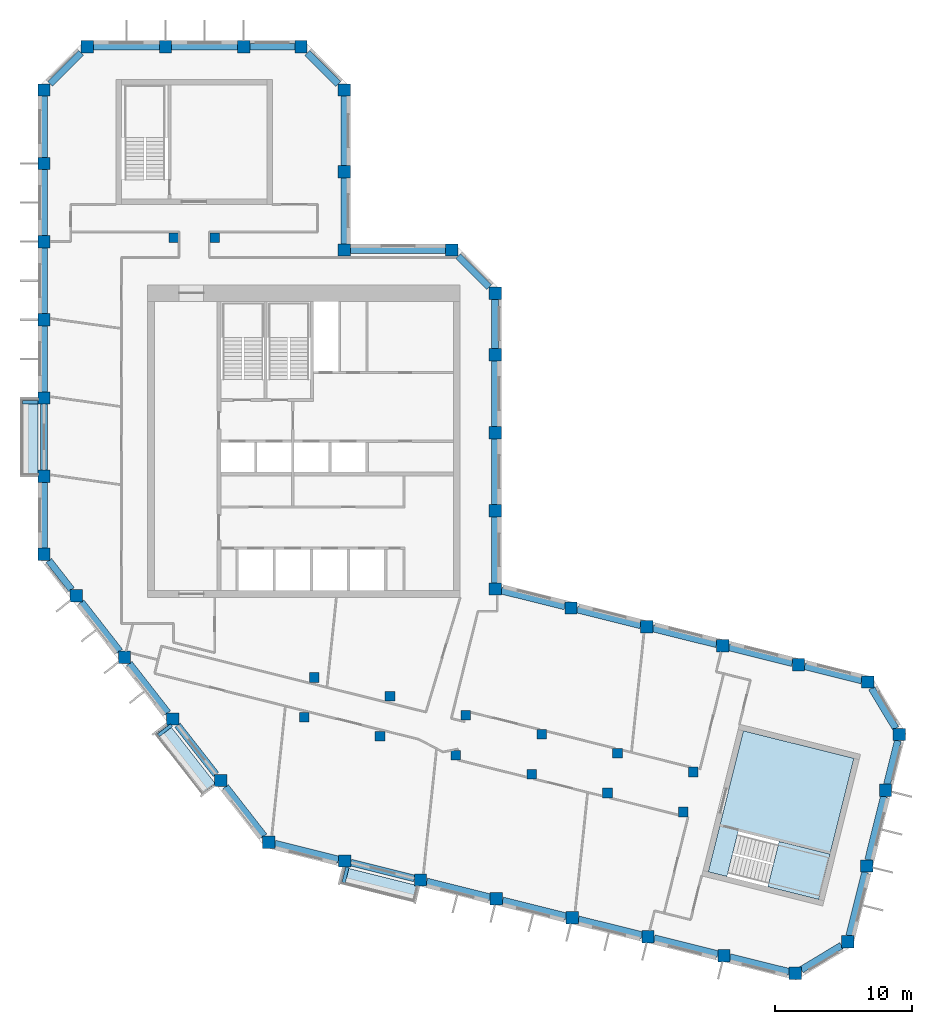
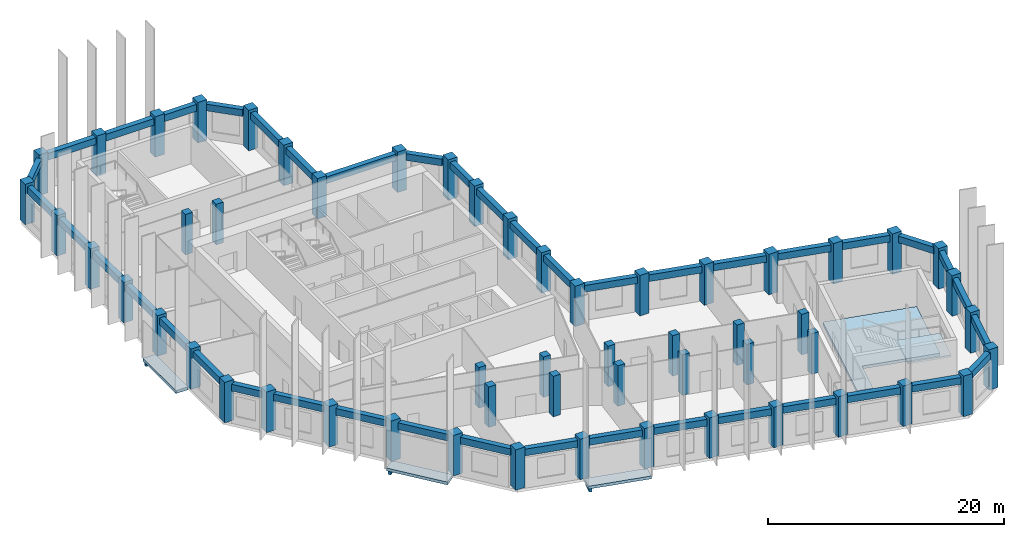
# One storey, part 1 of 8: 55 columns, 44 beams, 5 slabs, 1 element without a shape of its own.
"""IFC4 building model written with IfcOpenShell, lengths in metres."""

from ifc_helpers import new_model, si_unit, direction, frame, origin, origin_2d, place, context, subcontext, project, spatial, polyline, rectangle, outline, extrude, material, layer, layer_set, material_profile, profile_set, type_object, element, aggregate, save


model = new_model("IFC4")

# Units and contexts
model_context = context("Model", 3, precision=1e-05, world=origin(), true_north=direction((0.0, 1.0)))
body_context = subcontext(model_context, "Body", "Model", "MODEL_VIEW")
ifc_project = project(units=[si_unit("LENGTHUNIT", "METRE"), si_unit("AREAUNIT", "SQUARE_METRE"), si_unit("VOLUMEUNIT", "CUBIC_METRE"), si_unit("PLANEANGLEUNIT", "RADIAN"), si_unit("MASSUNIT", "GRAM", prefix="KILO")], contexts=[model_context])

# Site, building, storey
site_placement = place(None, origin())
site = spatial("IfcSite", under=ifc_project, at=site_placement, CompositionType="ELEMENT")
building_placement = place(site_placement, origin())
building = spatial("IfcBuilding", under=site, at=building_placement, Name="Meshkara Civic Tower", CompositionType="ELEMENT")
storey_placement = place(building_placement, frame((0.0, 0.0, 387.60009765625)))
storey = spatial("IfcBuildingStorey", under=building, at=storey_placement, Name="L89", CompositionType="ELEMENT", Elevation=387.60009765625)

# Columns
ifc_material_1 = material(Name="Concrete C50", Category="concrete")
ifc_material_profile_1 = material_profile(ifc_material_1, rectangle(XDim=0.699951171875, YDim=0.699951171875, at=origin_2d()))
ifc_profile_set_1 = profile_set([ifc_material_profile_1], Name="Concrete C50")
column_type_1 = type_object("IfcColumnType", Name="Interior column RC 700x700 C50", PredefinedType="COLUMN", material=ifc_profile_set_1)
for number, where, z_axis, x_axis, name in (
    (1, (9.89990234375, 40.35009765625, 0.0), (0.0, 0.0, 1.0), (1.0, 0.0, 0.0), "Column SA1-04 L89"),
    (2, (12.89990234375, 40.35009765625, 0.0), (0.0, 0.0, 1.0), (1.0, 0.0, 0.0), "Column SA2-04 L89"),
    (3, (19.424072265625, 5.360107421875, 0.0), (0.0, 0.0, 1.0), (1.0, 0.0, 0.0), "Column SB1-00 L89"),
    (4, (24.9541015625, 3.98095703125, 0.0), (0.0, 0.0, 1.0), (1.0, 0.0, 0.0), "Column SB1-01 L89"),
    (5, (30.485107421875, 2.60205078125, 0.0), (0.0, 0.0, 1.0), (1.0, 0.0, 0.0), "Column SB1-02 L89"),
    (6, (36.01611328125, 1.222900390625, 0.0), (0.0, 0.0, 1.0), (1.0, 0.0, 0.0), "Column SB1-03 L89"),
    (7, (41.5458984375, -0.156005859375, 0.0), (0.0, 0.0, 1.0), (1.0, 0.0, 0.0), "Column SB1-04 L89"),
    (8, (47.076904296875, -1.534912109375, 0.0), (0.0, 0.0, 1.0), (1.0, 0.0, 0.0), "Column SB1-05 L89"),
    (9, (20.14892578125, 8.27099609375, 0.0), (0.0, 0.0, 1.0), (1.0, 0.0, 0.0), "Column SB2-00 L89"),
    (10, (25.679931640625, 6.89208984375, 0.0), (0.0, 0.0, 1.0), (1.0, 0.0, 0.0), "Column SB2-01 L89"),
    (11, (31.2109375, 5.512939453125, 0.0), (0.0, 0.0, 1.0), (1.0, 0.0, 0.0), "Column SB2-02 L89"),
    (12, (36.741943359375, 4.134033203125, 0.0), (0.0, 0.0, 1.0), (1.0, 0.0, 0.0), "Column SB2-03 L89"),
    (13, (42.27197265625, 2.7548828125, 0.0), (0.0, 0.0, 1.0), (1.0, 0.0, 0.0), "Column SB2-04 L89"),
    (14, (47.802978515625, 1.3759765625, 0.0), (0.0, 0.0, 1.0), (1.0, 0.0, 0.0), "Column SB2-05 L89"),
):
    element("IfcColumn", number, at=place(storey_placement, frame(where, z_axis=z_axis, x_axis=x_axis)), inside=storey, type_object=column_type_1, Name=name, PredefinedType="COLUMN", context=body_context, shape_type="SweptSolid", body=[
        extrude(rectangle(XDim=0.699951171875, YDim=0.699951171875, at=origin_2d()), origin(), (0.0, 0.0, 1.0), 4.199951171875),
    ])
ifc_material_2 = material(Name="Concrete C50", Category="concrete")
ifc_material_profile_2 = material_profile(ifc_material_2, rectangle(XDim=0.89990234375, YDim=0.89990234375, at=origin_2d()))
ifc_profile_set_2 = profile_set([ifc_material_profile_2], Name="Concrete C50")
column_type_2 = type_object("IfcColumnType", Name="Perimeter column RC 900x900 C50", PredefinedType="COLUMN", material=ifc_profile_set_2)
for number, where, z_axis, x_axis, name in (
    (15, (33.35009765625, 14.718994140625, 0.0), (0.0, 0.0, 1.0), (1.0, 0.0, 0.0), "Column HE00 L89"),
    (16, (33.35009765625, 20.4189453125, 0.0), (0.0, 0.0, 1.0), (1.0, 0.0, 0.0), "Column HE01 L89"),
    (17, (33.35009765625, 26.118896484375, 0.0), (0.0, 0.0, 1.0), (1.0, 0.0, 0.0), "Column HE02 L89"),
    (18, (33.35009765625, 31.819091796875, 0.0), (0.0, 0.0, 1.0), (1.0, 0.0, 0.0), "Column HE03 L89"),
    (19, (33.35009765625, 36.2939453125, 0.0), (0.0, 0.0, 1.0), (1.0, 0.0, 0.0), "Column HEE L89"),
    (20, (30.194091796875, 39.449951171875, 0.0), (0.0, 0.0, 1.0), (1.0, 0.0, 0.0), "Column HCeE L89"),
    (21, (22.35009765625, 39.449951171875, 0.0), (0.0, 0.0, 1.0), (1.0, 0.0, 0.0), "Column HN00 L89"),
    (22, (22.35009765625, 45.14990234375, 0.0), (0.0, 0.0, 1.0), (1.0, 0.0, 0.0), "Column AE01 L89"),
    (23, (22.35009765625, 51.114013671875, 0.0), (0.0, 0.0, 1.0), (1.0, 0.0, 0.0), "Column AEEP5 L89"),
    (24, (19.194091796875, 54.27001953125, 0.0), (0.0, 0.0, 1.0), (1.0, 0.0, 0.0), "Column ATiEP5 L89"),
    (25, (3.60595703125, 54.27001953125, 0.0), (0.0, 0.0, 1.0), (1.0, 0.0, 0.0), "Column AT00-P5 L89"),
    (26, (9.305908203125, 54.27001953125, 0.0), (0.0, 0.0, 1.0), (1.0, 0.0, 0.0), "Column AT01-P5 L89"),
    (27, (15.006103515625, 54.27001953125, 0.0), (0.0, 0.0, 1.0), (1.0, 0.0, 0.0), "Column AT02-P5 L89"),
    (28, (0.449951171875, 51.114013671875, 0.0), (0.0, 0.0, 1.0), (1.0, 0.0, 0.0), "Column ATo00-P5 L89"),
    (29, (0.449951171875, 17.2548828125, 0.0), (0.0, 0.0, 1.0), (1.0, 0.0, 0.0), "Column AW00 L89"),
    (30, (0.449951171875, 22.955078125, 0.0), (0.0, 0.0, 1.0), (1.0, 0.0, 0.0), "Column AW01 L89"),
    (31, (0.449951171875, 28.655029296875, 0.0), (0.0, 0.0, 1.0), (1.0, 0.0, 0.0), "Column AW02 L89"),
    (32, (0.449951171875, 34.35498046875, 0.0), (0.0, 0.0, 1.0), (1.0, 0.0, 0.0), "Column AW03 L89"),
    (33, (0.449951171875, 40.054931640625, 0.0), (0.0, 0.0, 1.0), (1.0, 0.0, 0.0), "Column AW04 L89"),
    (34, (0.449951171875, 45.7548828125, 0.0), (0.0, 0.0, 1.0), (1.0, 0.0, 0.0), "Column AW05 L89"),
    (35, (16.85107421875, -3.738037109375, 0.0), (0.0, 0.0, 1.0), (1.0, 0.0, 0.0), "Column BOW00 L89"),
    (36, (13.342041015625, 0.75390625, 0.0), (0.0, 0.0, 1.0), (1.0, 0.0, 0.0), "Column BOW01 L89"),
    (37, (9.8330078125, 5.2451171875, 0.0), (0.0, 0.0, 1.0), (1.0, 0.0, 0.0), "Column BOW02 L89"),
    (38, (6.322998046875, 9.737060546875, 0.0), (0.0, 0.0, 1.0), (1.0, 0.0, 0.0), "Column BOW03 L89"),
    (39, (2.81396484375, 14.22900390625, 0.0), (0.0, 0.0, 1.0), (1.0, 0.0, 0.0), "Column BOW04 L89"),
    (40, (22.382080078125, -5.116943359375, 0.0), (0.0, 0.0, 1.0), (1.0, 0.0, 0.0), "Column BS01 L89"),
    (41, (27.912109375, -6.49609375, 0.0), (0.0, 0.0, 1.0), (1.0, 0.0, 0.0), "Column BS02 L89"),
    (42, (33.443115234375, -7.875, 0.0), (0.0, 0.0, 1.0), (1.0, 0.0, 0.0), "Column BS03 L89"),
    (43, (38.97412109375, -9.25390625, 0.0), (0.0, 0.0, 1.0), (1.0, 0.0, 0.0), "Column BS04 L89"),
    (44, (44.50390625, -10.633056640625, 0.0), (0.0, 0.0, 1.0), (1.0, 0.0, 0.0), "Column BS05-P4 L89"),
    (45, (50.034912109375, -12.011962890625, 0.0), (0.0, 0.0, 1.0), (1.0, 0.0, 0.0), "Column BS06-P4 L89"),
    (46, (55.235107421875, -13.30810546875, 0.0), (0.0, 0.0, 1.0), (1.0, 0.0, 0.0), "Column BSEP5 L89"),
    (47, (59.06103515625, -11.009033203125, 0.0), (0.0, 0.0, 1.0), (1.0, 0.0, 0.0), "Column BToEP5 L89"),
    (48, (60.43994140625, -5.47802734375, 0.0), (0.0, 0.0, 1.0), (1.0, 0.0, 0.0), "Column BT01-P5 L89"),
    (49, (61.819091796875, 0.052001953125, 0.0), (0.0, 0.0, 1.0), (1.0, 0.0, 0.0), "Column BT02-P5 L89"),
    (50, (62.83203125, 4.114990234375, 0.0), (0.0, 0.0, 1.0), (1.0, 0.0, 0.0), "Column BTEP5 L89"),
    (51, (60.532958984375, 7.94091796875, 0.0), (0.0, 0.0, 1.0), (1.0, 0.0, 0.0), "Column BTi00-P5 L89"),
    (52, (38.881103515625, 13.340087890625, 0.0), (0.0, 0.0, 1.0), (1.0, 0.0, 0.0), "Column BN01 L89"),
    (53, (44.410888671875, 11.9609375, 0.0), (0.0, 0.0, 1.0), (1.0, 0.0, 0.0), "Column BN02 L89"),
    (54, (49.94189453125, 10.58203125, 0.0), (0.0, 0.0, 1.0), (1.0, 0.0, 0.0), "Column BN03 L89"),
    (55, (55.472900390625, 9.202880859375, 0.0), (0.0, 0.0, 1.0), (1.0, 0.0, 0.0), "Column BN04 L89"),
):
    element("IfcColumn", number, at=place(storey_placement, frame(where, z_axis=z_axis, x_axis=x_axis)), inside=storey, type_object=column_type_2, Name=name, PredefinedType="COLUMN", context=body_context, shape_type="SweptSolid", body=[
        extrude(rectangle(XDim=0.89990234375, YDim=0.89990234375, at=origin_2d()), origin(), (0.0, 0.0, 1.0), 4.199951171875),
    ])

# Beams
ifc_material_3 = material(Name="Concrete C50", Category="concrete")
ifc_material_profile_3 = material_profile(ifc_material_3, rectangle(XDim=0.25, YDim=0.39990234375, at=origin_2d()))
ifc_profile_set_3 = profile_set([ifc_material_profile_3], Name="Concrete C50")
beam_type_1 = type_object("IfcBeamType", Name="Balcony bracket beam RC 250x400 C50", PredefinedType="BEAM", material=ifc_profile_set_3)
beam_1_placement = place(storey_placement, frame((0.0048828125, 28.35498046875, -0.5), z_axis=(-1.0, 0.0, 0.0), x_axis=(0.0, -1.0, 0.0)))
element("IfcBeam", 56, at=beam_1_placement, inside=storey, type_object=beam_type_1, Name="Balcony bracket beam", PredefinedType="BEAM", context=body_context, shape_type="SweptSolid", body=[
    extrude(rectangle(XDim=0.25, YDim=0.39990234375, at=origin_2d()), origin(), (0.0, 0.0, 1.0), 1.10498046875),
])
beam_2_placement = place(storey_placement, frame((9.748046875, 4.798095703125, -0.5), z_axis=(-0.787914096483, -0.615785170789, 0.0), x_axis=(0.615785170789, -0.787914096483, 0.0)))
element("IfcBeam", 57, at=beam_2_placement, inside=storey, type_object=beam_type_1, Name="Balcony bracket beam", PredefinedType="BEAM", context=body_context, shape_type="SweptSolid", body=[
    extrude(rectangle(XDim=0.25, YDim=0.39990234375, at=origin_2d()), origin(), (0.0, 0.0, 1.0), 1.20849609375),
])
beam_3_placement = place(storey_placement, frame((22.580078125, -5.56201171875, -0.5), z_axis=(-0.241894953997, -0.970302443175, 0.0), x_axis=(0.970302443175, -0.241894953997, 0.0)))
element("IfcBeam", 58, at=beam_3_placement, inside=storey, type_object=beam_type_1, Name="Balcony bracket beam", PredefinedType="BEAM", context=body_context, shape_type="SweptSolid", body=[
    extrude(rectangle(XDim=0.25, YDim=0.39990234375, at=origin_2d()), origin(), (0.0, 0.0, 1.0), 1.165771484375),
])
ifc_material_4 = material(Name="Concrete C50", Category="concrete")
ifc_material_profile_4 = material_profile(ifc_material_4, rectangle(XDim=0.5, YDim=0.699951171875, at=origin_2d()))
ifc_profile_set_4 = profile_set([ifc_material_profile_4], Name="Concrete C50")
beam_type_2 = type_object("IfcBeamType", Name="Spandrel beam RC 500x700 C50", PredefinedType="BEAM", material=ifc_profile_set_4)
for number, where, z_axis, x_axis, name in (
    (59, (55.02783203125, 9.31396484375, 3.5498046875), (-0.970298442389, 0.241911001604, 0.0), (-0.241911001604, -0.970298442389, 0.0), "Spandrel beam BN03-BN04"),
    (60, (49.496826171875, 10.693115234375, 3.5498046875), (-0.970298442389, 0.241911001604, 0.0), (-0.241911001604, -0.970298442389, 0.0), "Spandrel beam BN02-BN03"),
):
    element("IfcBeam", number, at=place(storey_placement, frame(where, z_axis=z_axis, x_axis=x_axis)), inside=storey, type_object=beam_type_2, Name=name, PredefinedType="BEAM", context=body_context, shape_type="SweptSolid", body=[
        extrude(rectangle(XDim=0.5, YDim=0.699951171875, at=origin_2d()), origin(), (0.0, 0.0, 1.0), 4.78271484375),
    ])
beam_4_placement = place(storey_placement, frame((43.9658203125, 12.072021484375, 3.5498046875), z_axis=(-0.970286489601, 0.241958938867, 0.0), x_axis=(-0.241958938867, -0.970286489601, 0.0)))
element("IfcBeam", 61, at=beam_4_placement, inside=storey, type_object=beam_type_2, Name="Spandrel beam BN01-BN02", PredefinedType="BEAM", context=body_context, shape_type="SweptSolid", body=[
    extrude(rectangle(XDim=0.5, YDim=0.699951171875, at=origin_2d()), origin(), (0.0, 0.0, 1.0), 4.78173828125),
])
beam_5_placement = place(storey_placement, frame((38.435791015625, 13.450927734375, 3.5498046875), z_axis=(-0.970298442389, 0.241911001604, 0.0), x_axis=(-0.241911001604, -0.970298442389, 0.0)))
element("IfcBeam", 62, at=beam_5_placement, inside=storey, type_object=beam_type_2, Name="Spandrel beam BN01-HE00", PredefinedType="BEAM", context=body_context, shape_type="SweptSolid", body=[
    extrude(rectangle(XDim=0.5, YDim=0.699951171875, at=origin_2d()), origin(), (0.0, 0.0, 1.0), 4.78271484375),
])
for number, where, z_axis, x_axis, name in (
    (63, (33.35009765625, 15.1640625, 3.5498046875), (0.0, 1.0, 0.0), (-1.0, 0.0, 0.0), "Spandrel beam HE00-HE01"),
    (64, (33.35009765625, 20.864013671875, 3.5498046875), (0.0, 1.0, 0.0), (-1.0, 0.0, 0.0), "Spandrel beam HE01-HE02"),
    (65, (33.35009765625, 26.56396484375, 3.5498046875), (0.0, 1.0, 0.0), (-1.0, 0.0, 0.0), "Spandrel beam HE02-HE03"),
):
    element("IfcBeam", number, at=place(storey_placement, frame(where, z_axis=z_axis, x_axis=x_axis)), inside=storey, type_object=beam_type_2, Name=name, PredefinedType="BEAM", context=body_context, shape_type="SweptSolid", body=[
        extrude(rectangle(XDim=0.5, YDim=0.699951171875, at=origin_2d()), origin(), (0.0, 0.0, 1.0), 4.81005859375),
    ])
beam_6_placement = place(storey_placement, frame((33.35009765625, 32.263916015625, 3.5498046875), z_axis=(0.0, 1.0, 0.0), x_axis=(-1.0, 0.0, 0.0)))
element("IfcBeam", 66, at=beam_6_placement, inside=storey, type_object=beam_type_2, Name="Spandrel beam HE03-HEE", PredefinedType="BEAM", context=body_context, shape_type="SweptSolid", body=[
    extrude(rectangle(XDim=0.5, YDim=0.699951171875, at=origin_2d()), origin(), (0.0, 0.0, 1.0), 3.585205078125),
])
beam_7_placement = place(storey_placement, frame((32.903564453125, 36.740478515625, 3.5498046875), z_axis=(-0.707144921739, 0.707068638576, 0.0), x_axis=(-0.707068638576, -0.707144921739, 0.0)))
element("IfcBeam", 67, at=beam_7_placement, inside=storey, type_object=beam_type_2, Name="Spandrel beam HCeE-HEE", PredefinedType="BEAM", context=body_context, shape_type="SweptSolid", body=[
    extrude(rectangle(XDim=0.5, YDim=0.699951171875, at=origin_2d()), origin(), (0.0, 0.0, 1.0), 3.200439453125),
])
beam_8_placement = place(storey_placement, frame((29.7490234375, 39.449951171875, 3.5498046875), z_axis=(-1.0, 0.0, 0.0), x_axis=(0.0, -1.0, 0.0)))
element("IfcBeam", 68, at=beam_8_placement, inside=storey, type_object=beam_type_2, Name="Spandrel beam HCeE-HN00", PredefinedType="BEAM", context=body_context, shape_type="SweptSolid", body=[
    extrude(rectangle(XDim=0.5, YDim=0.699951171875, at=origin_2d()), origin(), (0.0, 0.0, 1.0), 6.9541015625),
])
beam_9_placement = place(storey_placement, frame((22.35009765625, 39.89501953125, 3.5498046875), z_axis=(0.0, 1.0, 0.0), x_axis=(-1.0, 0.0, 0.0)))
element("IfcBeam", 69, at=beam_9_placement, inside=storey, type_object=beam_type_2, Name="Spandrel beam AE01-HN00", PredefinedType="BEAM", context=body_context, shape_type="SweptSolid", body=[
    extrude(rectangle(XDim=0.5, YDim=0.699951171875, at=origin_2d()), origin(), (0.0, 0.0, 1.0), 4.81005859375),
])
beam_10_placement = place(storey_placement, frame((22.35009765625, 45.594970703125, 3.5498046875), z_axis=(0.0, 1.0, 0.0), x_axis=(-1.0, 0.0, 0.0)))
element("IfcBeam", 70, at=beam_10_placement, inside=storey, type_object=beam_type_2, Name="Spandrel beam AE01-AEEP5", PredefinedType="BEAM", context=body_context, shape_type="SweptSolid", body=[
    extrude(rectangle(XDim=0.5, YDim=0.699951171875, at=origin_2d()), origin(), (0.0, 0.0, 1.0), 5.073974609375),
])
beam_11_placement = place(storey_placement, frame((21.903564453125, 51.560546875, 3.5498046875), z_axis=(-0.707144921739, 0.707068638576, 0.0), x_axis=(-0.707068638576, -0.707144921739, 0.0)))
element("IfcBeam", 71, at=beam_11_placement, inside=storey, type_object=beam_type_2, Name="Spandrel beam AEEP5-ATiEP5", PredefinedType="BEAM", context=body_context, shape_type="SweptSolid", body=[
    extrude(rectangle(XDim=0.5, YDim=0.699951171875, at=origin_2d()), origin(), (0.0, 0.0, 1.0), 3.200439453125),
])
beam_12_placement = place(storey_placement, frame((18.7490234375, 54.27001953125, 3.5498046875), z_axis=(-1.0, 0.0, 0.0), x_axis=(0.0, -1.0, 0.0)))
element("IfcBeam", 72, at=beam_12_placement, inside=storey, type_object=beam_type_2, Name="Spandrel beam AT02-P5-ATiEP5", PredefinedType="BEAM", context=body_context, shape_type="SweptSolid", body=[
    extrude(rectangle(XDim=0.5, YDim=0.699951171875, at=origin_2d()), origin(), (0.0, 0.0, 1.0), 3.298095703125),
])
for number, where, z_axis, x_axis, name in (
    (73, (14.56103515625, 54.27001953125, 3.5498046875), (-1.0, 0.0, 0.0), (0.0, -1.0, 0.0), "Spandrel beam AT01-P5-AT02-P5"),
    (74, (8.861083984375, 54.27001953125, 3.5498046875), (-1.0, 0.0, 0.0), (0.0, -1.0, 0.0), "Spandrel beam AT00-P5-AT01-P5"),
):
    element("IfcBeam", number, at=place(storey_placement, frame(where, z_axis=z_axis, x_axis=x_axis)), inside=storey, type_object=beam_type_2, Name=name, PredefinedType="BEAM", context=body_context, shape_type="SweptSolid", body=[
        extrude(rectangle(XDim=0.5, YDim=0.699951171875, at=origin_2d()), origin(), (0.0, 0.0, 1.0), 4.81005859375),
    ])
beam_13_placement = place(storey_placement, frame((3.159423828125, 53.823486328125, 3.5498046875), z_axis=(-0.707106781187, -0.707106781187, 0.0), x_axis=(0.707106781187, -0.707106781187, 0.0)))
element("IfcBeam", 75, at=beam_13_placement, inside=storey, type_object=beam_type_2, Name="Spandrel beam AT00-P5-ATo00-P5", PredefinedType="BEAM", context=body_context, shape_type="SweptSolid", body=[
    extrude(rectangle(XDim=0.5, YDim=0.699951171875, at=origin_2d()), origin(), (0.0, 0.0, 1.0), 3.2001953125),
])
beam_14_placement = place(storey_placement, frame((0.449951171875, 50.6689453125, 3.5498046875), z_axis=(0.0, -1.0, 0.0), x_axis=(1.0, 0.0, 0.0)))
element("IfcBeam", 76, at=beam_14_placement, inside=storey, type_object=beam_type_2, Name="Spandrel beam ATo00-P5-AW05", PredefinedType="BEAM", context=body_context, shape_type="SweptSolid", body=[
    extrude(rectangle(XDim=0.5, YDim=0.699951171875, at=origin_2d()), origin(), (0.0, 0.0, 1.0), 4.468994140625),
])
for number, where, z_axis, x_axis, name in (
    (77, (0.449951171875, 45.31005859375, 3.5498046875), (0.0, -1.0, 0.0), (1.0, 0.0, 0.0), "Spandrel beam AW04-AW05"),
    (78, (0.449951171875, 39.610107421875, 3.5498046875), (0.0, -1.0, 0.0), (1.0, 0.0, 0.0), "Spandrel beam AW03-AW04"),
):
    element("IfcBeam", number, at=place(storey_placement, frame(where, z_axis=z_axis, x_axis=x_axis)), inside=storey, type_object=beam_type_2, Name=name, PredefinedType="BEAM", context=body_context, shape_type="SweptSolid", body=[
        extrude(rectangle(XDim=0.5, YDim=0.699951171875, at=origin_2d()), origin(), (0.0, 0.0, 1.0), 4.81005859375),
    ])
beam_15_placement = place(storey_placement, frame((0.449951171875, 33.909912109375, 3.5498046875), z_axis=(0.0, -1.0, 0.0), x_axis=(1.0, 0.0, 0.0)))
element("IfcBeam", 79, at=beam_15_placement, inside=storey, type_object=beam_type_2, Name="Spandrel beam AW02-AW03", PredefinedType="BEAM", context=body_context, shape_type="SweptSolid", body=[
    extrude(rectangle(XDim=0.5, YDim=0.699951171875, at=origin_2d()), origin(), (0.0, 0.0, 1.0), 4.809814453125),
])
for number, where, z_axis, x_axis, name in (
    (80, (0.449951171875, 28.2099609375, 3.5498046875), (0.0, -1.0, 0.0), (1.0, 0.0, 0.0), "Spandrel beam AW01-AW02"),
    (81, (0.449951171875, 22.510009765625, 3.5498046875), (0.0, -1.0, 0.0), (1.0, 0.0, 0.0), "Spandrel beam AW00-AW01"),
):
    element("IfcBeam", number, at=place(storey_placement, frame(where, z_axis=z_axis, x_axis=x_axis)), inside=storey, type_object=beam_type_2, Name=name, PredefinedType="BEAM", context=body_context, shape_type="SweptSolid", body=[
        extrude(rectangle(XDim=0.5, YDim=0.699951171875, at=origin_2d()), origin(), (0.0, 0.0, 1.0), 4.81005859375),
    ])
beam_16_placement = place(storey_placement, frame((0.798583984375, 16.808837890625, 3.5498046875), z_axis=(0.615637043197, -0.788029841468, 0.0), x_axis=(0.788029841468, 0.615637043197, 0.0)))
element("IfcBeam", 82, at=beam_16_placement, inside=storey, type_object=beam_type_2, Name="Spandrel beam AW00-BOW04", PredefinedType="BEAM", context=body_context, shape_type="SweptSolid", body=[
    extrude(rectangle(XDim=0.5, YDim=0.699951171875, at=origin_2d()), origin(), (0.0, 0.0, 1.0), 2.707763671875),
])
beam_17_placement = place(storey_placement, frame((3.162353515625, 13.782958984375, 3.5498046875), z_axis=(0.615626410665, -0.788038147865, 0.0), x_axis=(0.788038147865, 0.615626410665, 0.0)))
element("IfcBeam", 83, at=beam_17_placement, inside=storey, type_object=beam_type_2, Name="Spandrel beam BOW03-BOW04", PredefinedType="BEAM", context=body_context, shape_type="SweptSolid", body=[
    extrude(rectangle(XDim=0.5, YDim=0.699951171875, at=origin_2d()), origin(), (0.0, 0.0, 1.0), 4.568115234375),
])
beam_18_placement = place(storey_placement, frame((6.67138671875, 9.291015625, 3.5498046875), z_axis=(0.615759141311, -0.787934438829, 0.0), x_axis=(0.787934438829, 0.615759141311, 0.0)))
element("IfcBeam", 84, at=beam_18_placement, inside=storey, type_object=beam_type_2, Name="Spandrel beam BOW02-BOW03", PredefinedType="BEAM", context=body_context, shape_type="SweptSolid", body=[
    extrude(rectangle(XDim=0.5, YDim=0.699951171875, at=origin_2d()), origin(), (0.0, 0.0, 1.0), 4.568603515625),
])
beam_19_placement = place(storey_placement, frame((10.181396484375, 4.798828125, 3.5498046875), z_axis=(0.615722879711, -0.78796277539, 0.0), x_axis=(0.78796277539, 0.615722879711, 0.0)))
element("IfcBeam", 85, at=beam_19_placement, inside=storey, type_object=beam_type_2, Name="Spandrel beam BOW01-BOW02", PredefinedType="BEAM", context=body_context, shape_type="SweptSolid", body=[
    extrude(rectangle(XDim=0.5, YDim=0.699951171875, at=origin_2d()), origin(), (0.0, 0.0, 1.0), 4.56689453125),
])
beam_20_placement = place(storey_placement, frame((13.6904296875, 0.307861328125, 3.5498046875), z_axis=(0.615626410665, -0.788038147865, 0.0), x_axis=(0.788038147865, 0.615626410665, 0.0)))
element("IfcBeam", 86, at=beam_20_placement, inside=storey, type_object=beam_type_2, Name="Spandrel beam BOW00-BOW01", PredefinedType="BEAM", context=body_context, shape_type="SweptSolid", body=[
    extrude(rectangle(XDim=0.5, YDim=0.699951171875, at=origin_2d()), origin(), (0.0, 0.0, 1.0), 4.568115234375),
])
beam_21_placement = place(storey_placement, frame((17.296142578125, -3.84912109375, 3.5498046875), z_axis=(0.970301429476, -0.241899020164, 0.0), x_axis=(0.241899020164, 0.970301429476, 0.0)))
element("IfcBeam", 87, at=beam_21_placement, inside=storey, type_object=beam_type_2, Name="Spandrel beam BOW00-BS01", PredefinedType="BEAM", context=body_context, shape_type="SweptSolid", body=[
    extrude(rectangle(XDim=0.5, YDim=0.699951171875, at=origin_2d()), origin(), (0.0, 0.0, 1.0), 4.782958984375),
])
beam_22_placement = place(storey_placement, frame((22.8271484375, -5.22802734375, 3.5498046875), z_axis=(0.970286489601, -0.241958938867, 0.0), x_axis=(0.241958938867, 0.970286489601, 0.0)))
element("IfcBeam", 88, at=beam_22_placement, inside=storey, type_object=beam_type_2, Name="Spandrel beam BS01-BS02", PredefinedType="BEAM", context=body_context, shape_type="SweptSolid", body=[
    extrude(rectangle(XDim=0.5, YDim=0.699951171875, at=origin_2d()), origin(), (0.0, 0.0, 1.0), 4.78173828125),
])
for number, where, z_axis, x_axis, name in (
    (89, (28.357177734375, -6.60693359375, 3.5498046875), (0.970298442389, -0.241911001604, 0.0), (0.241911001604, 0.970298442389, 0.0), "Spandrel beam BS02-BS03"),
    (90, (33.88818359375, -7.986083984375, 3.5498046875), (0.970298442389, -0.241911001604, 0.0), (0.241911001604, 0.970298442389, 0.0), "Spandrel beam BS03-BS04"),
):
    element("IfcBeam", number, at=place(storey_placement, frame(where, z_axis=z_axis, x_axis=x_axis)), inside=storey, type_object=beam_type_2, Name=name, PredefinedType="BEAM", context=body_context, shape_type="SweptSolid", body=[
        extrude(rectangle(XDim=0.5, YDim=0.699951171875, at=origin_2d()), origin(), (0.0, 0.0, 1.0), 4.78271484375),
    ])
beam_23_placement = place(storey_placement, frame((39.419189453125, -9.364990234375, 3.5498046875), z_axis=(0.970286489601, -0.241958938867, 0.0), x_axis=(0.241958938867, 0.970286489601, 0.0)))
element("IfcBeam", 91, at=beam_23_placement, inside=storey, type_object=beam_type_2, Name="Spandrel beam BS04-BS05-P4", PredefinedType="BEAM", context=body_context, shape_type="SweptSolid", body=[
    extrude(rectangle(XDim=0.5, YDim=0.699951171875, at=origin_2d()), origin(), (0.0, 0.0, 1.0), 4.78173828125),
])
beam_24_placement = place(storey_placement, frame((44.94921875, -10.743896484375, 3.5498046875), z_axis=(0.970298442389, -0.241911001604, 0.0), x_axis=(0.241911001604, 0.970298442389, 0.0)))
element("IfcBeam", 92, at=beam_24_placement, inside=storey, type_object=beam_type_2, Name="Spandrel beam BS05-P4-BS06-P4", PredefinedType="BEAM", context=body_context, shape_type="SweptSolid", body=[
    extrude(rectangle(XDim=0.5, YDim=0.699951171875, at=origin_2d()), origin(), (0.0, 0.0, 1.0), 4.78271484375),
])
beam_25_placement = place(storey_placement, frame((50.47998046875, -12.122802734375, 3.5498046875), z_axis=(0.97031362237, -0.241850106975, 0.0), x_axis=(0.241850106975, 0.97031362237, 0.0)))
element("IfcBeam", 93, at=beam_25_placement, inside=storey, type_object=beam_type_2, Name="Spandrel beam BS06-P4-BSEP5", PredefinedType="BEAM", context=body_context, shape_type="SweptSolid", body=[
    extrude(rectangle(XDim=0.5, YDim=0.699951171875, at=origin_2d()), origin(), (0.0, 0.0, 1.0), 4.441650390625),
])
beam_26_placement = place(storey_placement, frame((55.6806640625, -13.040283203125, 3.5498046875), z_axis=(0.857146668312, 0.515072411416, 0.0), x_axis=(-0.515072411416, 0.857146668312, 0.0)))
element("IfcBeam", 94, at=beam_26_placement, inside=storey, type_object=beam_type_2, Name="Spandrel beam BSEP5-BToEP5", PredefinedType="BEAM", context=body_context, shape_type="SweptSolid", body=[
    extrude(rectangle(XDim=0.5, YDim=0.699951171875, at=origin_2d()), origin(), (0.0, 0.0, 1.0), 3.423583984375),
])
beam_27_placement = place(storey_placement, frame((59.172119140625, -10.56396484375, 3.5498046875), z_axis=(0.241899020164, 0.970301429476, 0.0), x_axis=(-0.970301429476, 0.241899020164, 0.0)))
element("IfcBeam", 95, at=beam_27_placement, inside=storey, type_object=beam_type_2, Name="Spandrel beam BT01-P5-BToEP5", PredefinedType="BEAM", context=body_context, shape_type="SweptSolid", body=[
    extrude(rectangle(XDim=0.5, YDim=0.699951171875, at=origin_2d()), origin(), (0.0, 0.0, 1.0), 4.782958984375),
])
beam_28_placement = place(storey_placement, frame((60.551025390625, -5.032958984375, 3.5498046875), z_axis=(0.241946952825, 0.970289478464, 0.0), x_axis=(-0.970289478464, 0.241946952825, 0.0)))
element("IfcBeam", 96, at=beam_28_placement, inside=storey, type_object=beam_type_2, Name="Spandrel beam BT01-P5-BT02-P5", PredefinedType="BEAM", context=body_context, shape_type="SweptSolid", body=[
    extrude(rectangle(XDim=0.5, YDim=0.699951171875, at=origin_2d()), origin(), (0.0, 0.0, 1.0), 4.781982421875),
])
beam_29_placement = place(storey_placement, frame((61.929931640625, 0.4970703125, 3.5498046875), z_axis=(0.241903146974, 0.970300400641, 0.0), x_axis=(-0.970300400641, 0.241903146974, 0.0)))
element("IfcBeam", 97, at=beam_29_placement, inside=storey, type_object=beam_type_2, Name="Spandrel beam BT02-P5-BTEP5", PredefinedType="BEAM", context=body_context, shape_type="SweptSolid", body=[
    extrude(rectangle(XDim=0.5, YDim=0.699951171875, at=origin_2d()), origin(), (0.0, 0.0, 1.0), 3.27001953125),
])
beam_30_placement = place(storey_placement, frame((62.564208984375, 4.560791015625, 3.5498046875), z_axis=(-0.515072411416, 0.857146668312, 0.0), x_axis=(-0.857146668312, -0.515072411416, 0.0)))
element("IfcBeam", 98, at=beam_30_placement, inside=storey, type_object=beam_type_2, Name="Spandrel beam BTEP5-BTi00-P5", PredefinedType="BEAM", context=body_context, shape_type="SweptSolid", body=[
    extrude(rectangle(XDim=0.5, YDim=0.699951171875, at=origin_2d()), origin(), (0.0, 0.0, 1.0), 3.423583984375),
])
beam_31_placement = place(storey_placement, frame((60.087890625, 8.052001953125, 3.5498046875), z_axis=(-0.970272690872, 0.242014266826, 0.0), x_axis=(-0.242014266826, -0.970272690872, 0.0)))
element("IfcBeam", 99, at=beam_31_placement, inside=storey, type_object=beam_type_2, Name="Spandrel beam BN04-BTi00-P5", PredefinedType="BEAM", context=body_context, shape_type="SweptSolid", body=[
    extrude(rectangle(XDim=0.5, YDim=0.699951171875, at=origin_2d()), origin(), (0.0, 0.0, 1.0), 4.29736328125),
])

# Slabs
ifc_material_5 = material(Name="Concrete C40", Category="concrete")
ifc_layer_1 = layer(ifc_material_5, 0.300048828125)
ifc_layer_set_1 = layer_set([ifc_layer_1], Name="BALCONY SLAB")
slab_type_1 = type_object("IfcSlabType", Name="BALCONY SLAB", PredefinedType="FLOOR", material=ifc_layer_set_1)
slab_1_placement = place(storey_placement, frame((0.0, 0.0, -0.300048828125)))
element("IfcSlab", 100, at=slab_1_placement, inside=storey, type_object=slab_type_1, Name="Balcony slab", PredefinedType="FLOOR", context=body_context, shape_type="SweptSolid", body=[
    extrude(outline(polyline([(0.0, 23.405029296875), (0.0, 23.014892578125), (-1.199951171875, 23.014892578125), (-1.199951171875, 28.594970703125), (0.0, 28.594970703125), (0.0, 28.205078125), (0.0, 23.405029296875)])), origin(), (0.0, 0.0, 1.0), 0.300048828125),
])
slab_2_placement = place(storey_placement, frame((0.0, 0.0, -0.300048828125)))
element("IfcSlab", 101, at=slab_2_placement, inside=storey, type_object=slab_type_1, Name="Balcony slab", PredefinedType="FLOOR", context=body_context, shape_type="SweptSolid", body=[
    extrude(outline(polyline([(12.0048828125, -0.215087890625), (8.570068359375, 4.181884765625), (9.383056640625, 4.81689453125), (9.383056640625, 4.794921875), (9.614013671875, 4.794921875), (12.89208984375, 0.59912109375), (12.89208984375, 0.47900390625), (12.0048828125, -0.215087890625)])), origin(), (0.0, 0.0, 1.0), 0.300048828125),
])
slab_3_placement = place(storey_placement, frame((0.0, 0.0, -0.300048828125)))
element("IfcSlab", 102, at=slab_3_placement, inside=storey, type_object=slab_type_1, Name="Balcony slab", PredefinedType="FLOOR", context=body_context, shape_type="SweptSolid", body=[
    extrude(outline(polyline([(27.455078125, -8.08203125), (22.041015625, -6.73193359375), (22.3310546875, -5.568115234375), (27.4619140625, -6.846923828125), (27.4619140625, -6.946044921875), (27.738037109375, -6.946044921875), (27.455078125, -8.08203125)])), origin(), (0.0, 0.0, 1.0), 0.300048828125),
])
ifc_material_6 = material(Name="Concrete C40/50", Category="concrete")
ifc_layer_2 = layer(ifc_material_6, 0.300048828125)
ifc_layer_set_2 = layer_set([ifc_layer_2], Name="Core floor slab 300 C40/50")
slab_type_2 = type_object("IfcSlabType", Name="Core floor slab 300 C40/50", PredefinedType="FLOOR", material=ifc_layer_set_2)
slab_4_placement = place(storey_placement, frame((0.0, 0.0, -0.300048828125)))
element("IfcSlab", 103, at=slab_4_placement, inside=storey, type_object=slab_type_2, Name="Core floor EB", PredefinedType="FLOOR", context=body_context, shape_type="SweptSolid", body=[
    extrude(outline(polyline([(51.45849609375, 4.381103515625), (59.511962890625, 2.373291015625), (57.77001953125, -4.61279296875), (51.076416015625, -2.944091796875), (50.25390625, -6.242919921875), (48.89404296875, -5.90380859375), (51.45849609375, 4.381103515625)])), origin(), (0.0, 0.0, 1.0), 0.300048828125),
])

# Stair, slab
ifc_material_7 = material(Name="Precast concrete C40/50", Category="concrete")
stair_type = type_object("IfcStairType", Name="Exit stair half-turn 24 risers precast", PredefinedType="HALF_TURN_STAIR", material=ifc_material_7)
stair_placement = place(storey_placement, origin())
stair = element("IfcStair", 104, at=stair_placement, inside=storey, type_object=stair_type, Name="L89 exit stair B from L80", PredefinedType="HALF_TURN_STAIR")
ifc_material_8 = material(Name="Precast concrete C40/50", Category="concrete")
ifc_layer_3 = layer(ifc_material_8, 0.199951171875)
ifc_layer_set_3 = layer_set([ifc_layer_3], Name="Exit stair landing 200")
slab_type_3 = type_object("IfcSlabType", Name="Exit stair landing 200", PredefinedType="LANDING", material=ifc_layer_set_3)
slab_5_placement = place(storey_placement, frame((0.0, 0.0, 1.89990234375)))
slab_5 = element("IfcSlab", 105, at=slab_5_placement, type_object=slab_type_3, Name="ESB6 landing 1", PredefinedType="LANDING", context=body_context, shape_type="SweptSolid", body=[
    extrude(outline(polyline([(53.2392578125, -6.987548828125), (56.947998046875, -7.912109375), (57.7705078125, -4.612060546875), (54.0615234375, -3.687744140625), (53.2392578125, -6.987548828125)])), origin(), (0.0, 0.0, 1.0), 0.199951171875),
])
aggregate(stair, [slab_5])

save(model, "model.ifc")
